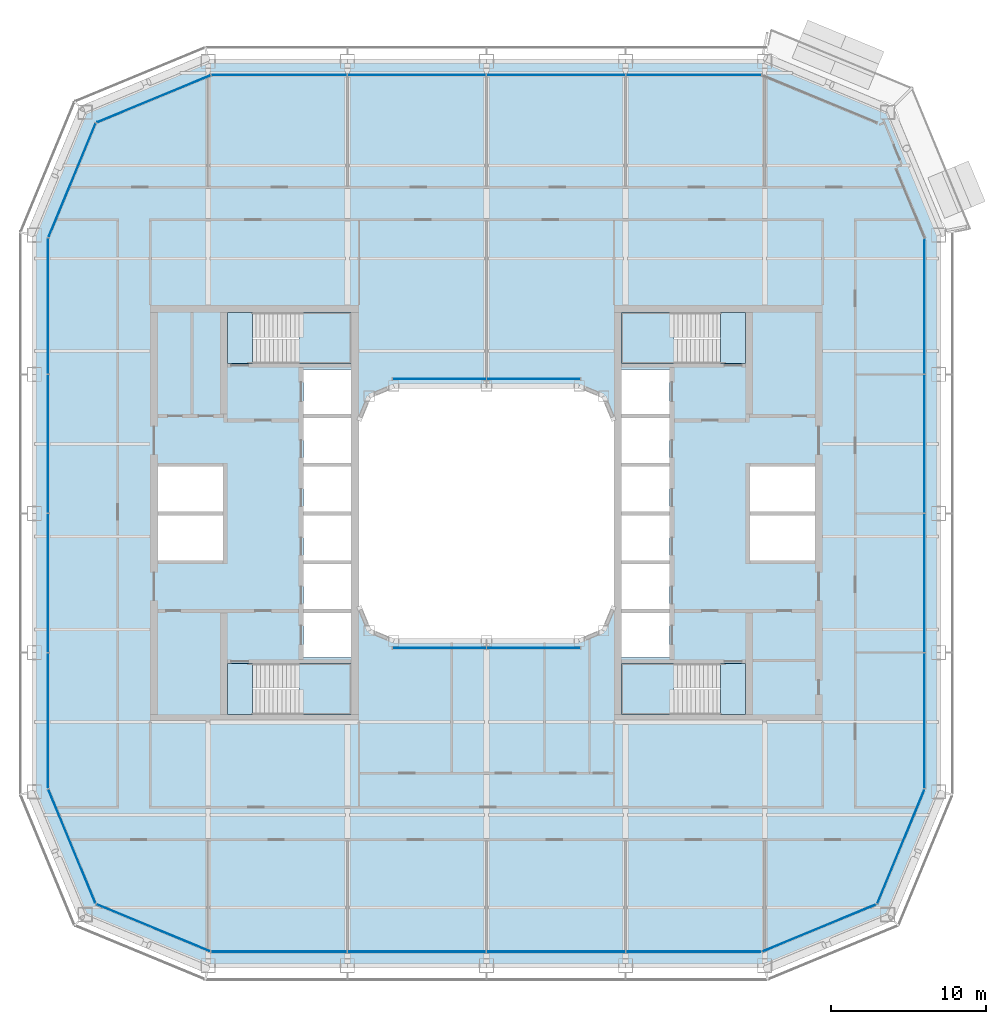
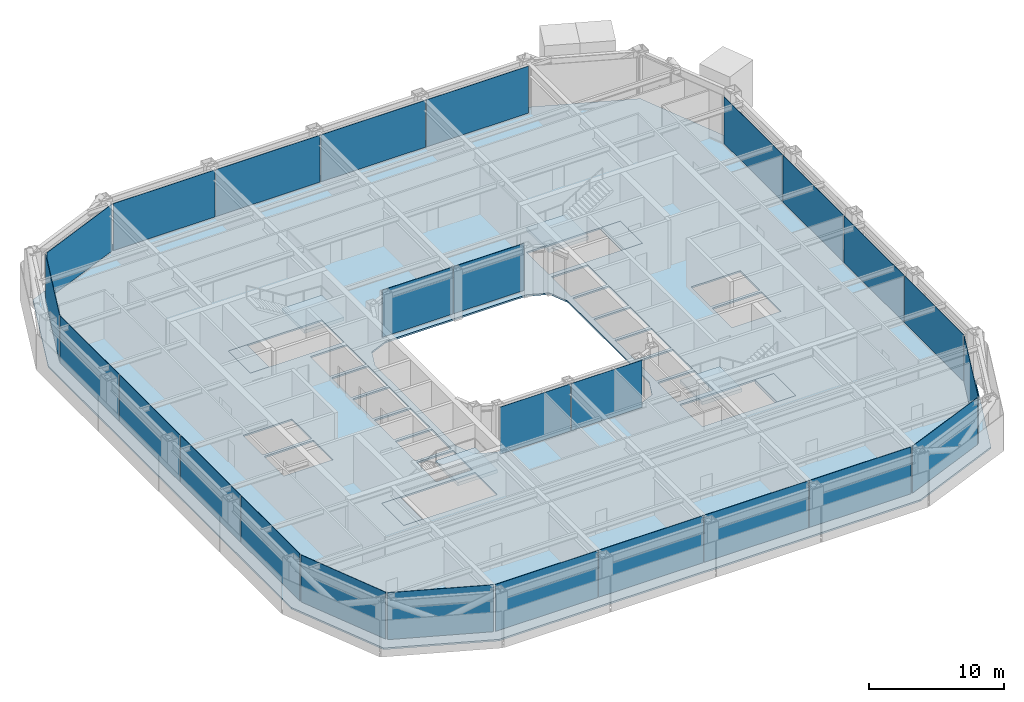
# One storey, part 10 of 23: 26 plates, 9 slabs, 16 elements without a shape of their own.
"""IFC4 building model written with IfcOpenShell, lengths in metres."""

from ifc_helpers import new_model, si_unit, direction, frame, origin, origin_2d, place, context, subcontext, project, spatial, polyline, rectangle, outline, extrude, material, layer, layer_set, type_object, element, aggregate, save


model = new_model("IFC4")

# Units and contexts
model_context = context("Model", 3, precision=1e-05, world=origin(), true_north=direction((0.0, 1.0)))
body_context = subcontext(model_context, "Body", "Model", "MODEL_VIEW")
ifc_project = project(units=[si_unit("LENGTHUNIT", "METRE"), si_unit("AREAUNIT", "SQUARE_METRE"), si_unit("VOLUMEUNIT", "CUBIC_METRE"), si_unit("PLANEANGLEUNIT", "RADIAN"), si_unit("MASSUNIT", "GRAM", prefix="KILO")], contexts=[model_context])

# Site, building, storey
site_placement = place(None, origin())
site = spatial("IfcSite", under=ifc_project, at=site_placement, CompositionType="ELEMENT")
building_placement = place(site_placement, origin())
building = spatial("IfcBuilding", under=site, at=building_placement, Name="Siwar Civic Tower", CompositionType="ELEMENT")
storey_placement = place(building_placement, frame((0.0, 0.0, 131.699951171875)))
storey = spatial("IfcBuildingStorey", under=building, at=storey_placement, Name="L28", CompositionType="ELEMENT", Elevation=131.699951171875)

# Stair, slabs
ifc_material_1 = material(Name="Concrete C40/50", Category="concrete")
stair_type = type_object("IfcStairType", Name="CORE-STAIR", PredefinedType="TWO_STRAIGHT_RUN_STAIR", material=ifc_material_1)
stair_1_placement = place(storey_placement, origin())
stair_1 = element("IfcStair", 1, at=stair_1_placement, inside=storey, type_object=stair_type, Name="Exit stair ST1", PredefinedType="TWO_STRAIGHT_RUN_STAIR")
ifc_material_2 = material(Name="Concrete C40/50", Category="concrete")
ifc_layer_1 = layer(ifc_material_2, 0.300048828125)
ifc_layer_set_1 = layer_set([ifc_layer_1], Name="Concrete C40/50")
slab_type_1 = type_object("IfcSlabType", Name="CORE-STAIR-LANDING", PredefinedType="LANDING", material=ifc_layer_set_1)
slab_1_placement = place(storey_placement, frame((0.0, 0.0, -0.300048828125)))
slab_1 = element("IfcSlab", 2, at=slab_1_placement, type_object=slab_type_1, Name="ST1 landing 1", PredefinedType="LANDING", context=body_context, shape_type="SweptSolid", body=[
    extrude(outline(polyline([(-15.14990234375, 13.0), (-16.75, 13.0), (-16.75, 9.699951171875), (-15.14990234375, 9.699951171875), (-15.14990234375, 13.0)])), origin(), (0.0, 0.0, 1.0), 0.300048828125),
])
slab_2_placement = place(storey_placement, frame((0.0, 0.0, 1.949951171875)))
slab_2 = element("IfcSlab", 3, at=slab_2_placement, type_object=slab_type_1, Name="ST1 landing 2", PredefinedType="LANDING", context=body_context, shape_type="SweptSolid", body=[
    extrude(outline(polyline([(-8.75, 13.0), (-12.139892578125, 13.0), (-12.139892578125, 9.699951171875), (-8.75, 9.699951171875), (-8.75, 13.0)])), origin(), (0.0, 0.0, 1.0), 0.300048828125),
])
aggregate(stair_1, [slab_1, slab_2])

stair_2_placement = place(storey_placement, origin())
stair_2 = element("IfcStair", 4, at=stair_2_placement, inside=storey, type_object=stair_type, Name="Exit stair ST2", PredefinedType="TWO_STRAIGHT_RUN_STAIR")
slab_3_placement = place(storey_placement, frame((0.0, 0.0, -0.300048828125)))
slab_3 = element("IfcSlab", 5, at=slab_3_placement, type_object=slab_type_1, Name="ST2 landing 1", PredefinedType="LANDING", context=body_context, shape_type="SweptSolid", body=[
    extrude(outline(polyline([(-15.14990234375, -9.699951171875), (-16.75, -9.699951171875), (-16.75, -13.0), (-15.14990234375, -13.0), (-15.14990234375, -9.699951171875)])), origin(), (0.0, 0.0, 1.0), 0.300048828125),
])
slab_4_placement = place(storey_placement, frame((0.0, 0.0, 1.949951171875)))
slab_4 = element("IfcSlab", 6, at=slab_4_placement, type_object=slab_type_1, Name="ST2 landing 2", PredefinedType="LANDING", context=body_context, shape_type="SweptSolid", body=[
    extrude(outline(polyline([(-8.75, -9.699951171875), (-12.139892578125, -9.699951171875), (-12.139892578125, -13.0), (-8.75, -13.0), (-8.75, -9.699951171875)])), origin(), (0.0, 0.0, 1.0), 0.300048828125),
])
aggregate(stair_2, [slab_3, slab_4])

stair_3_placement = place(storey_placement, origin())
stair_3 = element("IfcStair", 7, at=stair_3_placement, inside=storey, type_object=stair_type, Name="Exit stair ST3", PredefinedType="TWO_STRAIGHT_RUN_STAIR")
slab_5_placement = place(storey_placement, frame((0.0, 0.0, -0.300048828125)))
slab_5 = element("IfcSlab", 8, at=slab_5_placement, type_object=slab_type_1, Name="ST3 landing 1", PredefinedType="LANDING", context=body_context, shape_type="SweptSolid", body=[
    extrude(outline(polyline([(15.14990234375, 9.699951171875), (16.75, 9.699951171875), (16.75, 13.0), (15.14990234375, 13.0), (15.14990234375, 9.699951171875)])), origin(), (0.0, 0.0, 1.0), 0.300048828125),
])
slab_6_placement = place(storey_placement, frame((0.0, 0.0, 1.949951171875)))
slab_6 = element("IfcSlab", 9, at=slab_6_placement, type_object=slab_type_1, Name="ST3 landing 2", PredefinedType="LANDING", context=body_context, shape_type="SweptSolid", body=[
    extrude(outline(polyline([(8.75, 9.699951171875), (12.139892578125, 9.699951171875), (12.139892578125, 13.0), (8.75, 13.0), (8.75, 9.699951171875)])), origin(), (0.0, 0.0, 1.0), 0.300048828125),
])
aggregate(stair_3, [slab_5, slab_6])

stair_4_placement = place(storey_placement, origin())
stair_4 = element("IfcStair", 10, at=stair_4_placement, inside=storey, type_object=stair_type, Name="Exit stair ST4", PredefinedType="TWO_STRAIGHT_RUN_STAIR")
slab_7_placement = place(storey_placement, frame((0.0, 0.0, -0.300048828125)))
slab_7 = element("IfcSlab", 11, at=slab_7_placement, type_object=slab_type_1, Name="ST4 landing 1", PredefinedType="LANDING", context=body_context, shape_type="SweptSolid", body=[
    extrude(outline(polyline([(15.14990234375, -13.0), (16.75, -13.0), (16.75, -9.699951171875), (15.14990234375, -9.699951171875), (15.14990234375, -13.0)])), origin(), (0.0, 0.0, 1.0), 0.300048828125),
])
slab_8_placement = place(storey_placement, frame((0.0, 0.0, 1.949951171875)))
slab_8 = element("IfcSlab", 12, at=slab_8_placement, type_object=slab_type_1, Name="ST4 landing 2", PredefinedType="LANDING", context=body_context, shape_type="SweptSolid", body=[
    extrude(outline(polyline([(8.75, -13.0), (12.139892578125, -13.0), (12.139892578125, -9.699951171875), (8.75, -9.699951171875), (8.75, -13.0)])), origin(), (0.0, 0.0, 1.0), 0.300048828125),
])
aggregate(stair_4, [slab_7, slab_8])

# Curtain wall, plates
ifc_material_3 = material(Name="Aluminium and glass", Category="aluminium")
ifc_layer_2 = layer(ifc_material_3, 0.199951171875)
ifc_layer_set_2 = layer_set([ifc_layer_2], Name="Aluminium and glass")
curtain_wall_type_1 = type_object("IfcCurtainWallType", Name="ENV-CW-B", PredefinedType="NOTDEFINED", material=ifc_layer_set_2)
curtain_wall_1_placement = place(storey_placement, origin())
curtain_wall_1 = element("IfcCurtainWall", 13, at=curtain_wall_1_placement, inside=storey, type_object=curtain_wall_type_1, Name="Curtain wall B S", PredefinedType="NOTDEFINED")
ifc_material_4 = material(Name="Glass clear laminated", Category="glass")
ifc_layer_3 = layer(ifc_material_4, 0.033935546875)
ifc_layer_set_3 = layer_set([ifc_layer_3], Name="Glass clear laminated")
plate_type_1 = type_object("IfcPlateType", Name="ENV-PANEL-B", PredefinedType="CURTAIN_PANEL", material=ifc_layer_set_3)
plate_1_placement = place(storey_placement, frame((-13.410400390625, -28.35009765625, 0.10986328125), z_axis=(0.0, 0.0, 1.0), x_axis=(1.0, 0.0, 0.0)))
plate_1 = element("IfcPlate", 14, at=plate_1_placement, type_object=plate_type_1, Name="Curtain panel B S 1", PredefinedType="CURTAIN_PANEL", context=body_context, shape_type="SweptSolid", body=[
    extrude(rectangle(XDim=8.755859375, YDim=0.033935546875, at=origin_2d()), origin(), (0.0, 0.0, 1.0), 4.239990234375),
])
plate_2_placement = place(storey_placement, frame((-4.5, -28.35009765625, 0.10986328125), z_axis=(0.0, 0.0, 1.0), x_axis=(1.0, 0.0, 0.0)))
plate_2 = element("IfcPlate", 15, at=plate_2_placement, type_object=plate_type_1, Name="Curtain panel B S 2", PredefinedType="CURTAIN_PANEL", context=body_context, shape_type="SweptSolid", body=[
    extrude(rectangle(XDim=8.93505859375, YDim=0.033935546875, at=origin_2d()), origin(), (0.0, 0.0, 1.0), 4.239990234375),
])
plate_3_placement = place(storey_placement, frame((4.5, -28.35009765625, 0.10986328125), z_axis=(0.0, 0.0, 1.0), x_axis=(1.0, 0.0, 0.0)))
plate_3 = element("IfcPlate", 16, at=plate_3_placement, type_object=plate_type_1, Name="Curtain panel B S 3", PredefinedType="CURTAIN_PANEL", context=body_context, shape_type="SweptSolid", body=[
    extrude(rectangle(XDim=8.93505859375, YDim=0.033935546875, at=origin_2d()), origin(), (0.0, 0.0, 1.0), 4.239990234375),
])
plate_4_placement = place(storey_placement, frame((13.369873046875, -28.35009765625, 0.10986328125), z_axis=(0.0, 0.0, 1.0), x_axis=(1.0, 0.0, 0.0)))
plate_4 = element("IfcPlate", 17, at=plate_4_placement, type_object=plate_type_1, Name="Curtain panel B S 4", PredefinedType="CURTAIN_PANEL", context=body_context, shape_type="SweptSolid", body=[
    extrude(rectangle(XDim=8.6748046875, YDim=0.033935546875, at=origin_2d()), origin(), (0.0, 0.0, 1.0), 4.239990234375),
])
aggregate(curtain_wall_1, [plate_1, plate_2, plate_3, plate_4])

curtain_wall_2_placement = place(storey_placement, origin())
curtain_wall_2 = element("IfcCurtainWall", 18, at=curtain_wall_2_placement, inside=storey, type_object=curtain_wall_type_1, Name="Curtain wall B E", PredefinedType="NOTDEFINED")
plate_5_placement = place(storey_placement, frame((28.35009765625, -13.410400390625, 0.10986328125), z_axis=(0.0, 0.0, 1.0), x_axis=(0.0, 1.0, 0.0)))
plate_5 = element("IfcPlate", 19, at=plate_5_placement, type_object=plate_type_1, Name="Curtain panel B E 1", PredefinedType="CURTAIN_PANEL", context=body_context, shape_type="SweptSolid", body=[
    extrude(rectangle(XDim=8.755859375, YDim=0.033935546875, at=origin_2d()), origin(), (0.0, 0.0, 1.0), 4.239990234375),
])
plate_6_placement = place(storey_placement, frame((28.35009765625, -4.5, 0.10986328125), z_axis=(0.0, 0.0, 1.0), x_axis=(0.0, 1.0, 0.0)))
plate_6 = element("IfcPlate", 20, at=plate_6_placement, type_object=plate_type_1, Name="Curtain panel B E 2", PredefinedType="CURTAIN_PANEL", context=body_context, shape_type="SweptSolid", body=[
    extrude(rectangle(XDim=8.93505859375, YDim=0.033935546875, at=origin_2d()), origin(), (0.0, 0.0, 1.0), 4.239990234375),
])
plate_7_placement = place(storey_placement, frame((28.35009765625, 4.5, 0.10986328125), z_axis=(0.0, 0.0, 1.0), x_axis=(0.0, 1.0, 0.0)))
plate_7 = element("IfcPlate", 21, at=plate_7_placement, type_object=plate_type_1, Name="Curtain panel B E 3", PredefinedType="CURTAIN_PANEL", context=body_context, shape_type="SweptSolid", body=[
    extrude(rectangle(XDim=8.93505859375, YDim=0.033935546875, at=origin_2d()), origin(), (0.0, 0.0, 1.0), 4.239990234375),
])
plate_8_placement = place(storey_placement, frame((28.35009765625, 13.369873046875, 0.10986328125), z_axis=(0.0, 0.0, 1.0), x_axis=(0.0, 1.0, 0.0)))
plate_8 = element("IfcPlate", 22, at=plate_8_placement, type_object=plate_type_1, Name="Curtain panel B E 4", PredefinedType="CURTAIN_PANEL", context=body_context, shape_type="SweptSolid", body=[
    extrude(rectangle(XDim=8.6748046875, YDim=0.033935546875, at=origin_2d()), origin(), (0.0, 0.0, 1.0), 4.239990234375),
])
aggregate(curtain_wall_2, [plate_5, plate_6, plate_7, plate_8])

curtain_wall_3_placement = place(storey_placement, origin())
curtain_wall_3 = element("IfcCurtainWall", 23, at=curtain_wall_3_placement, inside=storey, type_object=curtain_wall_type_1, Name="Curtain wall B N", PredefinedType="NOTDEFINED")
plate_9_placement = place(storey_placement, frame((13.410400390625, 28.35009765625, 0.10986328125), z_axis=(0.0, 0.0, 1.0), x_axis=(-1.0, 0.0, 0.0)))
plate_9 = element("IfcPlate", 24, at=plate_9_placement, type_object=plate_type_1, Name="Curtain panel B N 1", PredefinedType="CURTAIN_PANEL", context=body_context, shape_type="SweptSolid", body=[
    extrude(rectangle(XDim=8.755859375, YDim=0.033935546875, at=origin_2d()), origin(), (0.0, 0.0, 1.0), 4.239990234375),
])
plate_10_placement = place(storey_placement, frame((4.5, 28.35009765625, 0.10986328125), z_axis=(0.0, 0.0, 1.0), x_axis=(-1.0, 0.0, 0.0)))
plate_10 = element("IfcPlate", 25, at=plate_10_placement, type_object=plate_type_1, Name="Curtain panel B N 2", PredefinedType="CURTAIN_PANEL", context=body_context, shape_type="SweptSolid", body=[
    extrude(rectangle(XDim=8.93505859375, YDim=0.033935546875, at=origin_2d()), origin(), (0.0, 0.0, 1.0), 4.239990234375),
])
plate_11_placement = place(storey_placement, frame((-4.5, 28.35009765625, 0.10986328125), z_axis=(0.0, 0.0, 1.0), x_axis=(-1.0, 0.0, 0.0)))
plate_11 = element("IfcPlate", 26, at=plate_11_placement, type_object=plate_type_1, Name="Curtain panel B N 3", PredefinedType="CURTAIN_PANEL", context=body_context, shape_type="SweptSolid", body=[
    extrude(rectangle(XDim=8.93505859375, YDim=0.033935546875, at=origin_2d()), origin(), (0.0, 0.0, 1.0), 4.239990234375),
])
plate_12_placement = place(storey_placement, frame((-13.369873046875, 28.35009765625, 0.10986328125), z_axis=(0.0, 0.0, 1.0), x_axis=(-1.0, 0.0, 0.0)))
plate_12 = element("IfcPlate", 27, at=plate_12_placement, type_object=plate_type_1, Name="Curtain panel B N 4", PredefinedType="CURTAIN_PANEL", context=body_context, shape_type="SweptSolid", body=[
    extrude(rectangle(XDim=8.6748046875, YDim=0.033935546875, at=origin_2d()), origin(), (0.0, 0.0, 1.0), 4.239990234375),
])
aggregate(curtain_wall_3, [plate_9, plate_10, plate_11, plate_12])

curtain_wall_4_placement = place(storey_placement, origin())
curtain_wall_4 = element("IfcCurtainWall", 28, at=curtain_wall_4_placement, inside=storey, type_object=curtain_wall_type_1, Name="Curtain wall B W", PredefinedType="NOTDEFINED")
plate_13_placement = place(storey_placement, frame((-28.35009765625, 13.410400390625, 0.10986328125), z_axis=(0.0, 0.0, 1.0), x_axis=(0.0, -1.0, 0.0)))
plate_13 = element("IfcPlate", 29, at=plate_13_placement, type_object=plate_type_1, Name="Curtain panel B W 1", PredefinedType="CURTAIN_PANEL", context=body_context, shape_type="SweptSolid", body=[
    extrude(rectangle(XDim=8.755859375, YDim=0.033935546875, at=origin_2d()), origin(), (0.0, 0.0, 1.0), 4.239990234375),
])
plate_14_placement = place(storey_placement, frame((-28.35009765625, 4.5, 0.10986328125), z_axis=(0.0, 0.0, 1.0), x_axis=(0.0, -1.0, 0.0)))
plate_14 = element("IfcPlate", 30, at=plate_14_placement, type_object=plate_type_1, Name="Curtain panel B W 2", PredefinedType="CURTAIN_PANEL", context=body_context, shape_type="SweptSolid", body=[
    extrude(rectangle(XDim=8.93505859375, YDim=0.033935546875, at=origin_2d()), origin(), (0.0, 0.0, 1.0), 4.239990234375),
])
plate_15_placement = place(storey_placement, frame((-28.35009765625, -4.5, 0.10986328125), z_axis=(0.0, 0.0, 1.0), x_axis=(0.0, -1.0, 0.0)))
plate_15 = element("IfcPlate", 31, at=plate_15_placement, type_object=plate_type_1, Name="Curtain panel B W 3", PredefinedType="CURTAIN_PANEL", context=body_context, shape_type="SweptSolid", body=[
    extrude(rectangle(XDim=8.93505859375, YDim=0.033935546875, at=origin_2d()), origin(), (0.0, 0.0, 1.0), 4.239990234375),
])
plate_16_placement = place(storey_placement, frame((-28.35009765625, -13.369873046875, 0.10986328125), z_axis=(0.0, 0.0, 1.0), x_axis=(0.0, -1.0, 0.0)))
plate_16 = element("IfcPlate", 32, at=plate_16_placement, type_object=plate_type_1, Name="Curtain panel B W 4", PredefinedType="CURTAIN_PANEL", context=body_context, shape_type="SweptSolid", body=[
    extrude(rectangle(XDim=8.6748046875, YDim=0.033935546875, at=origin_2d()), origin(), (0.0, 0.0, 1.0), 4.239990234375),
])
aggregate(curtain_wall_4, [plate_13, plate_14, plate_15, plate_16])

# Curtain wall, plate
ifc_material_5 = material(Name="Aluminium clad insulated panel", Category="aluminium")
ifc_layer_4 = layer(ifc_material_5, 0.199951171875)
ifc_layer_set_4 = layer_set([ifc_layer_4], Name="Aluminium clad insulated panel")
curtain_wall_type_2 = type_object("IfcCurtainWallType", Name="ENV-CW-BX", PredefinedType="NOTDEFINED", material=ifc_layer_set_4)
curtain_wall_5_placement = place(storey_placement, origin())
curtain_wall_5 = element("IfcCurtainWall", 33, at=curtain_wall_5_placement, inside=storey, type_object=curtain_wall_type_2, Name="Curtain wall B SE1", PredefinedType="NOTDEFINED")
ifc_material_6 = material(Name="Aluminium clad insulated panel", Category="aluminium")
ifc_layer_5 = layer(ifc_material_6, 0.033935546875)
ifc_layer_set_5 = layer_set([ifc_layer_5], Name="Aluminium clad insulated panel")
plate_type_2 = type_object("IfcPlateType", Name="ENV-PANEL-BX", PredefinedType="CURTAIN_PANEL", material=ifc_layer_set_5)
plate_17_placement = place(storey_placement, frame((21.506103515625, -26.823486328125, 0.10986328125), z_axis=(0.0, 0.0, 1.0), x_axis=(0.923879532511, 0.382683432365, 0.0)))
plate_17 = element("IfcPlate", 34, at=plate_17_placement, type_object=plate_type_2, Name="Curtain panel B SE1 1", PredefinedType="CURTAIN_PANEL", context=body_context, shape_type="SweptSolid", body=[
    extrude(rectangle(XDim=7.912353515625, YDim=0.033935546875, at=origin_2d()), origin(), (0.0, 0.0, 1.0), 4.239990234375),
])
aggregate(curtain_wall_5, [plate_17])

curtain_wall_6_placement = place(storey_placement, origin())
curtain_wall_6 = element("IfcCurtainWall", 35, at=curtain_wall_6_placement, inside=storey, type_object=curtain_wall_type_2, Name="Curtain wall B SE2", PredefinedType="NOTDEFINED")
plate_18_placement = place(storey_placement, frame((26.79248046875, -21.5810546875, 0.10986328125), z_axis=(0.0, 0.0, 1.0), x_axis=(0.382683432365, 0.923879532511, 0.0)))
plate_18 = element("IfcPlate", 36, at=plate_18_placement, type_object=plate_type_2, Name="Curtain panel B SE2 1", PredefinedType="CURTAIN_PANEL", context=body_context, shape_type="SweptSolid", body=[
    extrude(rectangle(XDim=7.912353515625, YDim=0.033935546875, at=origin_2d()), origin(), (0.0, 0.0, 1.0), 4.239990234375),
])
aggregate(curtain_wall_6, [plate_18])

curtain_wall_7_placement = place(storey_placement, origin())
curtain_wall_7 = element("IfcCurtainWall", 37, at=curtain_wall_7_placement, inside=storey, type_object=curtain_wall_type_2, Name="Curtain wall B NW1", PredefinedType="NOTDEFINED")
plate_19_placement = place(storey_placement, frame((-21.506103515625, 26.823486328125, 0.10986328125), z_axis=(0.0, 0.0, 1.0), x_axis=(-0.923879532511, -0.382683432365, 0.0)))
plate_19 = element("IfcPlate", 38, at=plate_19_placement, type_object=plate_type_2, Name="Curtain panel B NW1 1", PredefinedType="CURTAIN_PANEL", context=body_context, shape_type="SweptSolid", body=[
    extrude(rectangle(XDim=7.912353515625, YDim=0.033935546875, at=origin_2d()), origin(), (0.0, 0.0, 1.0), 4.239990234375),
])
aggregate(curtain_wall_7, [plate_19])

curtain_wall_8_placement = place(storey_placement, origin())
curtain_wall_8 = element("IfcCurtainWall", 39, at=curtain_wall_8_placement, inside=storey, type_object=curtain_wall_type_2, Name="Curtain wall B NW2", PredefinedType="NOTDEFINED")
plate_20_placement = place(storey_placement, frame((-26.79248046875, 21.5810546875, 0.10986328125), z_axis=(0.0, 0.0, 1.0), x_axis=(-0.382683432365, -0.923879532511, 0.0)))
plate_20 = element("IfcPlate", 40, at=plate_20_placement, type_object=plate_type_2, Name="Curtain panel B NW2 1", PredefinedType="CURTAIN_PANEL", context=body_context, shape_type="SweptSolid", body=[
    extrude(rectangle(XDim=7.912353515625, YDim=0.033935546875, at=origin_2d()), origin(), (0.0, 0.0, 1.0), 4.239990234375),
])
aggregate(curtain_wall_8, [plate_20])

curtain_wall_9_placement = place(storey_placement, origin())
curtain_wall_9 = element("IfcCurtainWall", 41, at=curtain_wall_9_placement, inside=storey, type_object=curtain_wall_type_2, Name="Curtain wall B SW1", PredefinedType="NOTDEFINED")
plate_21_placement = place(storey_placement, frame((-26.823486328125, -21.506103515625, 0.10986328125), z_axis=(0.0, 0.0, 1.0), x_axis=(0.382683432365, -0.923879532511, 0.0)))
plate_21 = element("IfcPlate", 42, at=plate_21_placement, type_object=plate_type_2, Name="Curtain panel B SW1 1", PredefinedType="CURTAIN_PANEL", context=body_context, shape_type="SweptSolid", body=[
    extrude(rectangle(XDim=7.912353515625, YDim=0.033935546875, at=origin_2d()), origin(), (0.0, 0.0, 1.0), 4.239990234375),
])
aggregate(curtain_wall_9, [plate_21])

curtain_wall_10_placement = place(storey_placement, origin())
curtain_wall_10 = element("IfcCurtainWall", 43, at=curtain_wall_10_placement, inside=storey, type_object=curtain_wall_type_2, Name="Curtain wall B SW2", PredefinedType="NOTDEFINED")
plate_22_placement = place(storey_placement, frame((-21.5810546875, -26.79248046875, 0.10986328125), z_axis=(0.0, 0.0, 1.0), x_axis=(0.923879532511, -0.382683432365, 0.0)))
plate_22 = element("IfcPlate", 44, at=plate_22_placement, type_object=plate_type_2, Name="Curtain panel B SW2 1", PredefinedType="CURTAIN_PANEL", context=body_context, shape_type="SweptSolid", body=[
    extrude(rectangle(XDim=7.912353515625, YDim=0.033935546875, at=origin_2d()), origin(), (0.0, 0.0, 1.0), 4.239990234375),
])
aggregate(curtain_wall_10, [plate_22])

# Curtain wall, plates
ifc_material_7 = material(Name="Aluminium and glass", Category="aluminium")
ifc_layer_6 = layer(ifc_material_7, 0.179931640625)
ifc_layer_set_6 = layer_set([ifc_layer_6], Name="Aluminium and glass")
curtain_wall_type_3 = type_object("IfcCurtainWallType", Name="ENV-CW-W", PredefinedType="NOTDEFINED", material=ifc_layer_set_6)
curtain_wall_11_placement = place(storey_placement, origin())
curtain_wall_11 = element("IfcCurtainWall", 45, at=curtain_wall_11_placement, inside=storey, type_object=curtain_wall_type_3, Name="Curtain wall W WS", PredefinedType="NOTDEFINED")
ifc_material_8 = material(Name="Glass clear laminated", Category="glass")
ifc_layer_7 = layer(ifc_material_8, 0.031982421875)
ifc_layer_set_7 = layer_set([ifc_layer_7], Name="Glass clear laminated")
plate_type_3 = type_object("IfcPlateType", Name="ENV-PANEL-W", PredefinedType="CURTAIN_PANEL", material=ifc_layer_set_7)
plate_23_placement = place(storey_placement, frame((-3.045654296875, -8.7099609375, 0.10009765625), z_axis=(0.0, 0.0, 1.0), x_axis=(1.0, 0.0, 0.0)))
plate_23 = element("IfcPlate", 46, at=plate_23_placement, type_object=plate_type_3, Name="Curtain panel W WS 1", PredefinedType="CURTAIN_PANEL", context=body_context, shape_type="SweptSolid", body=[
    extrude(rectangle(XDim=6.031494140625, YDim=0.031982421875, at=origin_2d()), origin(), (0.0, 0.0, 1.0), 4.25),
])
plate_24_placement = place(storey_placement, frame((3.045654296875, -8.7099609375, 0.10009765625), z_axis=(0.0, 0.0, 1.0), x_axis=(1.0, 0.0, 0.0)))
plate_24 = element("IfcPlate", 47, at=plate_24_placement, type_object=plate_type_3, Name="Curtain panel W WS 2", PredefinedType="CURTAIN_PANEL", context=body_context, shape_type="SweptSolid", body=[
    extrude(rectangle(XDim=6.031494140625, YDim=0.031982421875, at=origin_2d()), origin(), (0.0, 0.0, 1.0), 4.25),
])
aggregate(curtain_wall_11, [plate_23, plate_24])

curtain_wall_12_placement = place(storey_placement, origin())
curtain_wall_12 = element("IfcCurtainWall", 48, at=curtain_wall_12_placement, inside=storey, type_object=curtain_wall_type_3, Name="Curtain wall W WN", PredefinedType="NOTDEFINED")
plate_25_placement = place(storey_placement, frame((3.045654296875, 8.7099609375, 0.10009765625), z_axis=(0.0, 0.0, 1.0), x_axis=(-1.0, 0.0, 0.0)))
plate_25 = element("IfcPlate", 49, at=plate_25_placement, type_object=plate_type_3, Name="Curtain panel W WN 1", PredefinedType="CURTAIN_PANEL", context=body_context, shape_type="SweptSolid", body=[
    extrude(rectangle(XDim=6.031494140625, YDim=0.031982421875, at=origin_2d()), origin(), (0.0, 0.0, 1.0), 4.25),
])
plate_26_placement = place(storey_placement, frame((-3.045654296875, 8.7099609375, 0.10009765625), z_axis=(0.0, 0.0, 1.0), x_axis=(-1.0, 0.0, 0.0)))
plate_26 = element("IfcPlate", 50, at=plate_26_placement, type_object=plate_type_3, Name="Curtain panel W WN 2", PredefinedType="CURTAIN_PANEL", context=body_context, shape_type="SweptSolid", body=[
    extrude(rectangle(XDim=6.031494140625, YDim=0.031982421875, at=origin_2d()), origin(), (0.0, 0.0, 1.0), 4.25),
])
aggregate(curtain_wall_12, [plate_25, plate_26])

# Slab
ifc_material_9 = material(Name="Concrete C40/50", Category="concrete")
ifc_layer_8 = layer(ifc_material_9, 0.14990234375)
ifc_layer_set_8 = layer_set([ifc_layer_8], Name="Concrete C40/50")
slab_type_2 = type_object("IfcSlabType", Name="STR-FLOOR-DECK-150", PredefinedType="FLOOR", material=ifc_layer_set_8)
slab_9_placement = place(storey_placement, frame((0.0, 0.0, -0.14990234375)))
element("IfcSlab", 51, at=slab_9_placement, inside=storey, type_object=slab_type_2, Name="L28/slab/1", PredefinedType="FLOOR", context=body_context, shape_type="SweptSolid", body=[
    extrude(outline(polyline([(-18.0, -29.25), (18.0, -29.25), (25.954833984375, -25.954833984375), (29.25, -18.0), (29.25, 18.0), (25.954833984375, 25.954833984375), (18.0, 29.25), (-18.0, 29.25), (-25.954833984375, 25.954833984375), (-29.25, 18.0), (-29.25, -18.0), (-25.954833984375, -25.954833984375), (-18.0, -29.25)]), holes=[polyline([(21.25, 3.02490234375), (21.25, 0.125), (17.050048828125, 0.125), (17.050048828125, 3.02490234375), (21.25, 3.02490234375)]), polyline([(17.050048828125, -0.125), (21.25, -0.125), (21.25, -3.02490234375), (17.050048828125, -3.02490234375), (17.050048828125, -0.125)]), polyline([(16.75, 13.0), (16.75, 9.699951171875), (8.75, 9.699951171875), (8.75, 13.0), (16.75, 13.0)]), polyline([(8.75, -9.699951171875), (16.75, -9.699951171875), (16.75, -13.0), (8.75, -13.0), (8.75, -9.699951171875)]), polyline([(11.85009765625, 9.324951171875), (11.85009765625, 6.425048828125), (8.75, 6.425048828125), (8.75, 9.324951171875), (11.85009765625, 9.324951171875)]), polyline([(11.85009765625, 3.02490234375), (11.85009765625, 0.125), (8.75, 0.125), (8.75, 3.02490234375), (11.85009765625, 3.02490234375)]), polyline([(11.85009765625, -0.125), (11.85009765625, -3.02490234375), (8.75, -3.02490234375), (8.75, -0.125), (11.85009765625, -0.125)]), polyline([(11.85009765625, -3.27490234375), (11.85009765625, -6.175048828125), (8.75, -6.175048828125), (8.75, -3.27490234375), (11.85009765625, -3.27490234375)]), polyline([(8.75, 6.175048828125), (11.85009765625, 6.175048828125), (11.85009765625, 3.27490234375), (8.75, 3.27490234375), (8.75, 6.175048828125)]), polyline([(8.75, -6.425048828125), (11.85009765625, -6.425048828125), (11.85009765625, -9.324951171875), (8.75, -9.324951171875), (8.75, -6.425048828125)]), polyline([(-6.0, 8.25), (6.0, 8.25), (7.591064453125, 7.591064453125), (8.25, 6.0), (8.25, -6.0), (7.591064453125, -7.591064453125), (6.0, -8.25), (-6.0, -8.25), (-7.591064453125, -7.591064453125), (-8.25, -6.0), (-8.25, 6.0), (-7.591064453125, 7.591064453125), (-6.0, 8.25)]), polyline([(-8.75, 9.699951171875), (-16.75, 9.699951171875), (-16.75, 13.0), (-8.75, 13.0), (-8.75, 9.699951171875)]), polyline([(-8.75, 0.125), (-11.85009765625, 0.125), (-11.85009765625, 3.02490234375), (-8.75, 3.02490234375), (-8.75, 0.125)]), polyline([(-8.75, -6.175048828125), (-11.85009765625, -6.175048828125), (-11.85009765625, -3.27490234375), (-8.75, -3.27490234375), (-8.75, -6.175048828125)]), polyline([(-8.75, -9.324951171875), (-11.85009765625, -9.324951171875), (-11.85009765625, -6.425048828125), (-8.75, -6.425048828125), (-8.75, -9.324951171875)]), polyline([(-8.75, -13.0), (-16.75, -13.0), (-16.75, -9.699951171875), (-8.75, -9.699951171875), (-8.75, -13.0)]), polyline([(-11.85009765625, 6.425048828125), (-11.85009765625, 9.324951171875), (-8.75, 9.324951171875), (-8.75, 6.425048828125), (-11.85009765625, 6.425048828125)]), polyline([(-11.85009765625, 3.27490234375), (-11.85009765625, 6.175048828125), (-8.75, 6.175048828125), (-8.75, 3.27490234375), (-11.85009765625, 3.27490234375)]), polyline([(-11.85009765625, -3.02490234375), (-11.85009765625, -0.125), (-8.75, -0.125), (-8.75, -3.02490234375), (-11.85009765625, -3.02490234375)]), polyline([(-21.25, -3.02490234375), (-21.25, -0.125), (-17.050048828125, -0.125), (-17.050048828125, -3.02490234375), (-21.25, -3.02490234375)]), polyline([(-17.050048828125, 0.125), (-21.25, 0.125), (-21.25, 3.02490234375), (-17.050048828125, 3.02490234375), (-17.050048828125, 0.125)])]), origin(), (0.0, 0.0, 1.0), 0.14990234375),
])

save(model, "model.ifc")
